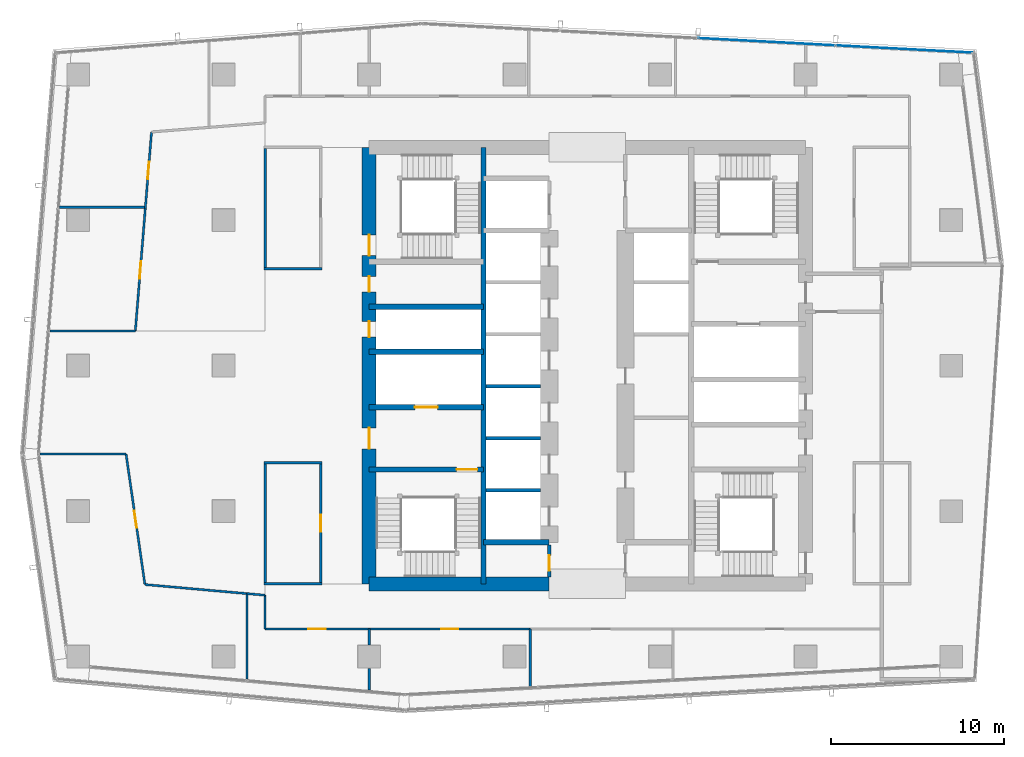
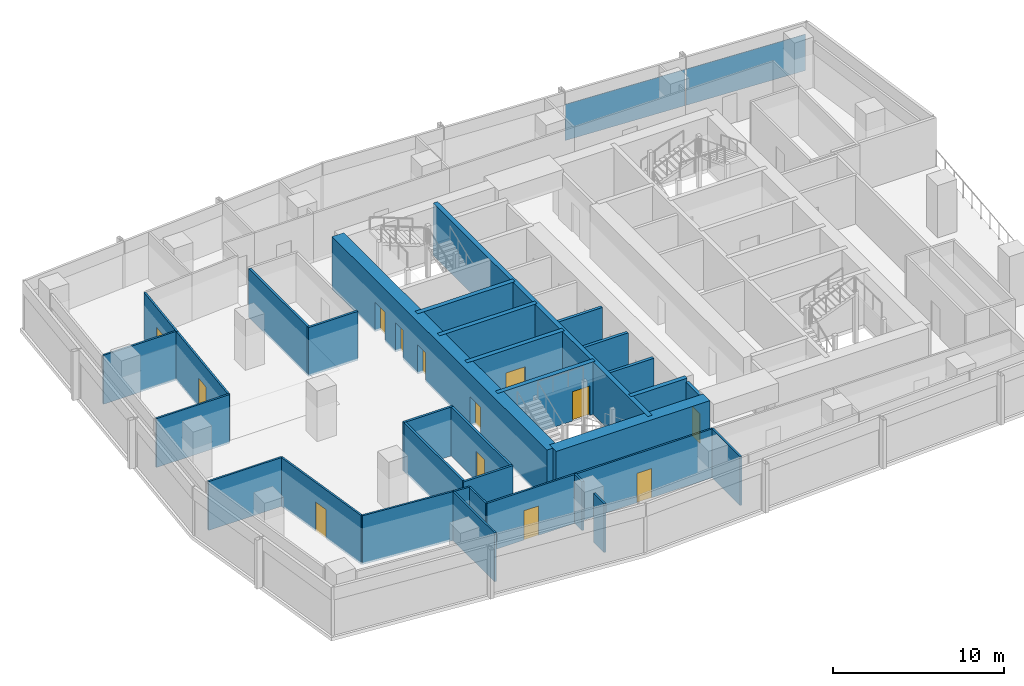
# One storey, part 20 of 28: 33 walls, 13 doors, 2 plates, 13 openings, 1 element without a shape of its own.
"""IFC4 building model written with IfcOpenShell, lengths in metres."""

from ifc_helpers import new_model, si_unit, direction, frame, frame_2d, origin, origin_2d, place, context, subcontext, project, spatial, rectangle, extrude, material, layer, layer_set, type_object, element, fill, aggregate, save


model = new_model("IFC4")

# Units and contexts
model_context = context("Model", 3, precision=1e-05, world=origin(), true_north=direction((0.0, 1.0)))
body_context = subcontext(model_context, "Body", "Model", "MODEL_VIEW")
ifc_project = project(units=[si_unit("LENGTHUNIT", "METRE"), si_unit("AREAUNIT", "SQUARE_METRE"), si_unit("VOLUMEUNIT", "CUBIC_METRE"), si_unit("PLANEANGLEUNIT", "RADIAN"), si_unit("MASSUNIT", "GRAM", prefix="KILO")], contexts=[model_context])

# Site, building, storey
site_placement = place(None, origin())
site = spatial("IfcSite", under=ifc_project, at=site_placement, CompositionType="ELEMENT")
building_placement = place(site_placement, origin())
building = spatial("IfcBuilding", under=site, at=building_placement, Name="Rekha Terrace Tower", CompositionType="ELEMENT")
storey_placement = place(building_placement, frame((0.0, 0.0, 253.85009765625)))
storey = spatial("IfcBuildingStorey", under=building, at=storey_placement, Name="L64", CompositionType="ELEMENT", Elevation=253.85009765625)

# Curtain wall, plates
ifc_material_1 = material(Name="Aluminium framing", Category="aluminium")
curtain_wall_type = type_object("IfcCurtainWallType", Name="CW3 north unitised glazing", PredefinedType="USERDEFINED", material=ifc_material_1)
curtain_wall_placement = place(storey_placement, origin())
curtain_wall = element("IfcCurtainWall", 1, at=curtain_wall_placement, inside=storey, type_object=curtain_wall_type, Name="CW3 unitised curtain wall", ObjectType="UNITISED CURTAIN WALL", PredefinedType="USERDEFINED")
ifc_material_2 = material(Name="Double-glazed unit 28", Category="glass")
ifc_layer_1 = layer(ifc_material_2, 0.028076171875)
ifc_layer_set_1 = layer_set([ifc_layer_1], Name="Double-glazed unit 28")
plate_type = type_object("IfcPlateType", Name="CW3 jumbo vision panel, double-glazed unit 28", PredefinedType="CURTAIN_PANEL", material=ifc_layer_set_1)
plate_1_placement = place(storey_placement, frame((56.080322265625, 51.871337890625, -0.000244140625), z_axis=(0.0, 0.0, 1.0), x_axis=(-0.998590089005, 0.053083275524, 0.0)))
plate_1 = element("IfcPlate", 2, at=plate_1_placement, type_object=plate_type, Name="CW3 panel 1.1", PredefinedType="CURTAIN_PANEL", context=body_context, shape_type="SweptSolid", body=[
    extrude(rectangle(XDim=7.856201171875, YDim=0.028076171875, at=origin_2d()), origin(), (0.0, 0.0, 1.0), 2.60009765625),
])
plate_2_placement = place(storey_placement, frame((48.14794921875, 52.29296875, -0.000244140625), z_axis=(0.0, 0.0, 1.0), x_axis=(-0.998590089005, 0.053083275524, 0.0)))
plate_2 = element("IfcPlate", 3, at=plate_2_placement, type_object=plate_type, Name="CW3 panel 2.1", PredefinedType="CURTAIN_PANEL", context=body_context, shape_type="SweptSolid", body=[
    extrude(rectangle(XDim=7.891357421875, YDim=0.028076171875, at=origin_2d()), origin(), (0.0, 0.0, 1.0), 2.60009765625),
])
aggregate(curtain_wall, [plate_1, plate_2])

# Walls
ifc_material_3 = material(Name="Concrete M60", Category="concrete")
ifc_layer_2 = layer(ifc_material_3, 0.300048828125)
ifc_layer_set_2 = layer_set([ifc_layer_2], Name="Concrete M60")
wall_type_1 = type_object("IfcWallType", Name="CI5 300 core internal shear wall", PredefinedType="SHEAR", material=ifc_layer_set_2)
wall_1_placement = place(storey_placement, frame((31.800048828125, 21.0, 0.0), z_axis=(0.0, 0.0, 1.0), x_axis=(0.0, 1.0, 0.0)))
element("IfcWall", 4, at=wall_1_placement, inside=storey, type_object=wall_type_1, Name="Core wall X318 L64", PredefinedType="SHEAR", context=body_context, shape_type="SweptSolid", body=[
    extrude(rectangle(XDim=25.199951171875, YDim=0.300048828125, at=frame_2d((12.60009765625, 0.0))), origin(), (0.0, 0.0, 1.0), 3.75),
])
wall_2_placement = place(storey_placement, frame((31.800048828125, 23.39990234375, 0.0), z_axis=(0.0, 0.0, 1.0), x_axis=(1.0, 0.0, 0.0)))
element("IfcWall", 5, at=wall_2_placement, inside=storey, type_object=wall_type_1, Name="Core wall Y234W L64", PredefinedType="SHEAR", context=body_context, shape_type="SweptSolid", body=[
    extrude(rectangle(XDim=3.800048828125, YDim=0.300048828125, at=frame_2d((1.89990234375, 0.0))), origin(), (0.0, 0.0, 1.0), 3.75),
])

# Wall, opening, door
wall_3_placement = place(storey_placement, frame((25.199951171875, 27.60009765625, 0.0), z_axis=(0.0, 0.0, 1.0), x_axis=(1.0, 0.0, 0.0)))
wall_3 = element("IfcWall", 6, at=wall_3_placement, inside=storey, type_object=wall_type_1, Name="Core wall Y276W L64", PredefinedType="SHEAR", context=body_context, shape_type="SweptSolid", body=[
    extrude(rectangle(XDim=6.60009765625, YDim=0.300048828125, at=frame_2d((3.300048828125, 0.0))), origin(), (0.0, 0.0, 1.0), 3.75),
])
opening_1_placement = place(wall_3_placement, frame((5.050048828125, 0.0, 0.0)))
opening_1 = element("IfcOpeningElement", 7, at=opening_1_placement, cuts=wall_3, Name="Opening D1", PredefinedType="OPENING", context=body_context, shape_type="SweptSolid", body=[
    extrude(rectangle(XDim=1.199951171875, YDim=2.10009765625, at=frame_2d((0.60009765625, 1.050048828125))), frame((0.0, 0.159912109375, 0.0), z_axis=(0.0, -1.0, 0.0), x_axis=(1.0, 0.0, 0.0)), (0.0, 0.0, 1.0), 0.320068359375),
])
ifc_material_4 = material(Name="Steel fire door", Category="steel")
door_type_1 = type_object("IfcDoorType", Name="D1 1200x2100 stair fire door", OperationType="SINGLE_SWING_RIGHT", PredefinedType="DOOR", material=ifc_material_4)
door_1_placement = place(opening_1_placement, origin())
door_1 = element("IfcDoor", 8, at=door_1_placement, inside=storey, type_object=door_type_1, Name="Stair ST1 door L64", OperationType="SINGLE_SWING_RIGHT", OverallHeight=2.10009765625, OverallWidth=1.199951171875, PredefinedType="DOOR", context=body_context, shape_type="SweptSolid", body=[
    extrude(rectangle(XDim=1.199951171875, YDim=2.10009765625, at=frame_2d((0.60009765625, 1.050048828125))), frame((0.0, 0.02490234375, 0.0), z_axis=(0.0, -1.0, 0.0), x_axis=(1.0, 0.0, 0.0)), (0.0, 0.0, 1.0), 0.050048828125),
])
fill(opening_1, door_1)

wall_4_placement = place(storey_placement, frame((25.199951171875, 31.199951171875, 0.0), z_axis=(0.0, 0.0, 1.0), x_axis=(1.0, 0.0, 0.0)))
wall_4 = element("IfcWall", 9, at=wall_4_placement, inside=storey, type_object=wall_type_1, Name="Core wall Y312W L64", PredefinedType="SHEAR", context=body_context, shape_type="SweptSolid", body=[
    extrude(rectangle(XDim=6.60009765625, YDim=0.300048828125, at=frame_2d((3.300048828125, 0.0))), origin(), (0.0, 0.0, 1.0), 3.75),
])
opening_2_placement = place(wall_4_placement, frame((2.64990234375, 0.0, 0.0)))
opening_2 = element("IfcOpeningElement", 10, at=opening_2_placement, cuts=wall_4, Name="Opening LD2", PredefinedType="OPENING", context=body_context, shape_type="SweptSolid", body=[
    extrude(rectangle(XDim=1.300048828125, YDim=2.10009765625, at=frame_2d((0.64990234375, 1.050048828125))), frame((0.0, 0.159912109375, 0.0), z_axis=(0.0, -1.0, 0.0), x_axis=(1.0, 0.0, 0.0)), (0.0, 0.0, 1.0), 0.320068359375),
])
ifc_material_5 = material(Name="Stainless steel sliding landing door", Category="steel")
door_type_2 = type_object("IfcDoorType", Name="LD2 1300x2100 fire lift landing door", OperationType="SLIDING_TO_LEFT", PredefinedType="USERDEFINED", material=ifc_material_5)
door_2_placement = place(opening_2_placement, origin())
door_2 = element("IfcDoor", 11, at=door_2_placement, inside=storey, type_object=door_type_2, Name="Lift FL1 landing door L64", ObjectType="LIFT LANDING DOOR", OperationType="SLIDING_TO_LEFT", OverallHeight=2.10009765625, OverallWidth=1.300048828125, PredefinedType="USERDEFINED", context=body_context, shape_type="SweptSolid", body=[
    extrude(rectangle(XDim=1.300048828125, YDim=2.10009765625, at=frame_2d((0.64990234375, 1.050048828125))), frame((0.0, 0.02490234375, 0.0), z_axis=(0.0, -1.0, 0.0), x_axis=(1.0, 0.0, 0.0)), (0.0, 0.0, 1.0), 0.050048828125),
])
fill(opening_2, door_2)

# Walls
for number, where, z_axis, x_axis, name in (
    (12, (25.199951171875, 34.39990234375, 0.0), (0.0, 0.0, 1.0), (1.0, 0.0, 0.0), "Core wall Y344W L64"),
    (13, (25.199951171875, 37.0, 0.0), (0.0, 0.0, 1.0), (1.0, 0.0, 0.0), "Core wall Y370W L64"),
):
    element("IfcWall", number, at=place(storey_placement, frame(where, z_axis=z_axis, x_axis=x_axis)), inside=storey, type_object=wall_type_1, Name=name, PredefinedType="SHEAR", context=body_context, shape_type="SweptSolid", body=[
        extrude(rectangle(XDim=6.60009765625, YDim=0.300048828125, at=frame_2d((3.300048828125, 0.0))), origin(), (0.0, 0.0, 1.0), 3.75),
    ])
ifc_layer_3 = layer(ifc_material_3, 0.800048828125)
ifc_layer_set_3 = layer_set([ifc_layer_3], Name="Concrete M60")
wall_type_2 = type_object("IfcWallType", Name="SW5 800 core outer shear wall", PredefinedType="SHEAR", material=ifc_layer_set_3)
wall_5_placement = place(storey_placement, frame((25.199951171875, 21.0, 0.0), z_axis=(0.0, 0.0, 1.0), x_axis=(1.0, 0.0, 0.0)))
element("IfcWall", 14, at=wall_5_placement, inside=storey, type_object=wall_type_2, Name="Core wall S1 L64", PredefinedType="SHEAR", context=body_context, shape_type="SweptSolid", body=[
    extrude(rectangle(XDim=10.400146484375, YDim=0.800048828125, at=frame_2d((5.2001953125, 0.0))), origin(), (0.0, 0.0, 1.0), 3.75),
])

# Wall, openings, doors
wall_6_placement = place(storey_placement, frame((25.199951171875, 21.0, 0.0), z_axis=(0.0, 0.0, 1.0), x_axis=(0.0, 1.0, 0.0)))
wall_6 = element("IfcWall", 15, at=wall_6_placement, inside=storey, type_object=wall_type_2, Name="Core wall W L64", PredefinedType="SHEAR", context=body_context, shape_type="SweptSolid", body=[
    extrude(rectangle(XDim=25.199951171875, YDim=0.800048828125, at=frame_2d((12.60009765625, 0.0))), origin(), (0.0, 0.0, 1.0), 3.75),
])
opening_3_placement = place(wall_6_placement, frame((7.800048828125, 0.0, 0.0)))
opening_3 = element("IfcOpeningElement", 16, at=opening_3_placement, cuts=wall_6, Name="Opening D2", PredefinedType="OPENING", context=body_context, shape_type="SweptSolid", body=[
    extrude(rectangle(XDim=1.199951171875, YDim=2.10009765625, at=frame_2d((0.60009765625, 1.050048828125))), frame((0.0, 0.409912109375, 0.0), z_axis=(0.0, -1.0, 0.0), x_axis=(1.0, 0.0, 0.0)), (0.0, 0.0, 1.0), 0.820068359375),
])
opening_4_placement = place(wall_6_placement, frame((14.25, 0.0, 0.0)))
opening_4 = element("IfcOpeningElement", 17, at=opening_4_placement, cuts=wall_6, Name="Opening D5", PredefinedType="OPENING", context=body_context, shape_type="SweptSolid", body=[
    extrude(rectangle(XDim=0.89990234375, YDim=2.10009765625, at=frame_2d((0.449951171875, 1.050048828125))), frame((0.0, 0.409912109375, 0.0), z_axis=(0.0, -1.0, 0.0), x_axis=(1.0, 0.0, 0.0)), (0.0, 0.0, 1.0), 0.820068359375),
])
opening_5_placement = place(wall_6_placement, frame((16.85009765625, 0.0, 0.0)))
opening_5 = element("IfcOpeningElement", 18, at=opening_5_placement, cuts=wall_6, Name="Opening D5", PredefinedType="OPENING", context=body_context, shape_type="SweptSolid", body=[
    extrude(rectangle(XDim=0.89990234375, YDim=2.10009765625, at=frame_2d((0.449951171875, 1.050048828125))), frame((0.0, 0.409912109375, 0.0), z_axis=(0.0, -1.0, 0.0), x_axis=(1.0, 0.0, 0.0)), (0.0, 0.0, 1.0), 0.820068359375),
])
opening_6_placement = place(wall_6_placement, frame((18.949951171875, 0.0, 0.0)))
opening_6 = element("IfcOpeningElement", 19, at=opening_6_placement, cuts=wall_6, Name="Opening D1", PredefinedType="OPENING", context=body_context, shape_type="SweptSolid", body=[
    extrude(rectangle(XDim=1.199951171875, YDim=2.10009765625, at=frame_2d((0.60009765625, 1.050048828125))), frame((0.0, 0.409912109375, 0.0), z_axis=(0.0, -1.0, 0.0), x_axis=(1.0, 0.0, 0.0)), (0.0, 0.0, 1.0), 0.820068359375),
])
door_3_placement = place(opening_6_placement, origin())
door_3 = element("IfcDoor", 20, at=door_3_placement, inside=storey, type_object=door_type_1, Name="Stair ST4 door L64", OperationType="SINGLE_SWING_RIGHT", OverallHeight=2.10009765625, OverallWidth=1.199951171875, PredefinedType="DOOR", context=body_context, shape_type="SweptSolid", body=[
    extrude(rectangle(XDim=1.199951171875, YDim=2.10009765625, at=frame_2d((0.60009765625, 1.050048828125))), frame((0.0, 0.02490234375, 0.0), z_axis=(0.0, -1.0, 0.0), x_axis=(1.0, 0.0, 0.0)), (0.0, 0.0, 1.0), 0.050048828125),
])
fill(opening_6, door_3)
door_type_3 = type_object("IfcDoorType", Name="D2 1200x2100 firefighting lobby door", OperationType="SINGLE_SWING_LEFT", PredefinedType="DOOR", material=ifc_material_4)
door_4_placement = place(opening_3_placement, origin())
door_4 = element("IfcDoor", 21, at=door_4_placement, inside=storey, type_object=door_type_3, Name="Door flb1 L64", OperationType="SINGLE_SWING_LEFT", OverallHeight=2.10009765625, OverallWidth=1.199951171875, PredefinedType="DOOR", context=body_context, shape_type="SweptSolid", body=[
    extrude(rectangle(XDim=1.199951171875, YDim=2.10009765625, at=frame_2d((0.60009765625, 1.050048828125))), frame((0.0, 0.02490234375, 0.0), z_axis=(0.0, -1.0, 0.0), x_axis=(1.0, 0.0, 0.0)), (0.0, 0.0, 1.0), 0.050048828125),
])
fill(opening_3, door_4)
door_type_4 = type_object("IfcDoorType", Name="D5 900x2100 riser access door", OperationType="SINGLE_SWING_LEFT", PredefinedType="DOOR", material=ifc_material_4)
door_5_placement = place(opening_4_placement, origin())
door_5 = element("IfcDoor", 22, at=door_5_placement, inside=storey, type_object=door_type_4, Name="Door rs1 L64", OperationType="SINGLE_SWING_LEFT", OverallHeight=2.10009765625, OverallWidth=0.89990234375, PredefinedType="DOOR", context=body_context, shape_type="SweptSolid", body=[
    extrude(rectangle(XDim=0.89990234375, YDim=2.10009765625, at=frame_2d((0.449951171875, 1.050048828125))), frame((0.0, 0.02490234375, 0.0), z_axis=(0.0, -1.0, 0.0), x_axis=(1.0, 0.0, 0.0)), (0.0, 0.0, 1.0), 0.050048828125),
])
fill(opening_4, door_5)
door_6_placement = place(opening_5_placement, origin())
door_6 = element("IfcDoor", 23, at=door_6_placement, inside=storey, type_object=door_type_4, Name="Door elw L64", OperationType="SINGLE_SWING_LEFT", OverallHeight=2.10009765625, OverallWidth=0.89990234375, PredefinedType="DOOR", context=body_context, shape_type="SweptSolid", body=[
    extrude(rectangle(XDim=0.89990234375, YDim=2.10009765625, at=frame_2d((0.449951171875, 1.050048828125))), frame((0.0, 0.02490234375, 0.0), z_axis=(0.0, -1.0, 0.0), x_axis=(1.0, 0.0, 0.0)), (0.0, 0.0, 1.0), 0.050048828125),
])
fill(opening_5, door_6)

# Walls
ifc_material_6 = material(Name="Concrete block masonry, 1 hour", Category="masonry")
ifc_layer_4 = layer(ifc_material_6, 0.14990234375)
ifc_layer_set_4 = layer_set([ifc_layer_4], Name="Concrete block masonry, 1 hour")
wall_type_3 = type_object("IfcWallType", Name="WP2 150 tenancy partition", PredefinedType="PARTITIONING", material=ifc_layer_set_4)
wall_7_placement = place(storey_placement, frame((19.125, 39.199951171875, 0.0), z_axis=(0.0, 0.0, 1.0), x_axis=(1.0, 0.0, 0.0)))
element("IfcWall", 24, at=wall_7_placement, inside=storey, type_object=wall_type_3, Name="Women's WC wall L64", PredefinedType="PARTITIONING", context=body_context, shape_type="SweptSolid", body=[
    extrude(rectangle(XDim=3.35009765625, YDim=0.14990234375, at=frame_2d((1.675048828125, 0.0))), origin(), (0.0, 0.0, 1.0), 3.5),
])
wall_8_placement = place(storey_placement, frame((19.199951171875, 39.27490234375, 0.0), z_axis=(0.0, 0.0, 1.0), x_axis=(0.0, 1.0, 0.0)))
element("IfcWall", 25, at=wall_8_placement, inside=storey, type_object=wall_type_3, Name="Women's WC wall L64", PredefinedType="PARTITIONING", context=body_context, shape_type="SweptSolid", body=[
    extrude(rectangle(XDim=6.85009765625, YDim=0.14990234375, at=frame_2d((3.425048828125, 0.0))), origin(), (0.0, 0.0, 1.0), 3.5),
])
for number, where, z_axis, x_axis, name in (
    (26, (19.125, 21.0, 0.0), (0.0, 0.0, 1.0), (1.0, 0.0, 0.0), "Men's WC wall L64"),
    (27, (19.125, 28.0, 0.0), (0.0, 0.0, 1.0), (1.0, 0.0, 0.0), "Men's WC wall L64"),
):
    element("IfcWall", number, at=place(storey_placement, frame(where, z_axis=z_axis, x_axis=x_axis)), inside=storey, type_object=wall_type_3, Name=name, PredefinedType="PARTITIONING", context=body_context, shape_type="SweptSolid", body=[
        extrude(rectangle(XDim=3.35009765625, YDim=0.14990234375, at=frame_2d((1.675048828125, 0.0))), origin(), (0.0, 0.0, 1.0), 3.5),
    ])
wall_9_placement = place(storey_placement, frame((19.199951171875, 21.074951171875, 0.0), z_axis=(0.0, 0.0, 1.0), x_axis=(0.0, 1.0, 0.0)))
element("IfcWall", 28, at=wall_9_placement, inside=storey, type_object=wall_type_3, Name="Men's WC wall L64", PredefinedType="PARTITIONING", context=body_context, shape_type="SweptSolid", body=[
    extrude(rectangle(XDim=6.85009765625, YDim=0.14990234375, at=frame_2d((3.425048828125, 0.0))), origin(), (0.0, 0.0, 1.0), 3.5),
])

# Wall, opening, door
wall_10_placement = place(storey_placement, frame((22.39990234375, 21.074951171875, 0.0), z_axis=(0.0, 0.0, 1.0), x_axis=(0.0, 1.0, 0.0)))
wall_10 = element("IfcWall", 29, at=wall_10_placement, inside=storey, type_object=wall_type_3, Name="Men's WC wall L64", PredefinedType="PARTITIONING", context=body_context, shape_type="SweptSolid", body=[
    extrude(rectangle(XDim=6.85009765625, YDim=0.14990234375, at=frame_2d((3.425048828125, 0.0))), origin(), (0.0, 0.0, 1.0), 3.5),
])
opening_7_placement = place(wall_10_placement, frame((2.925048828125, 0.0, 0.0)))
opening_7 = element("IfcOpeningElement", 30, at=opening_7_placement, cuts=wall_10, Name="Opening D3", PredefinedType="OPENING", context=body_context, shape_type="SweptSolid", body=[
    extrude(rectangle(XDim=1.0, YDim=2.10009765625, at=frame_2d((0.5, 1.050048828125))), frame((0.0, 0.0849609375, 0.0), z_axis=(0.0, -1.0, 0.0), x_axis=(1.0, 0.0, 0.0)), (0.0, 0.0, 1.0), 0.169921875),
])
ifc_material_7 = material(Name="Laminated timber fire door", Category="wood")
door_type_5 = type_object("IfcDoorType", Name="D3 1000x2100 WC door", OperationType="SINGLE_SWING_LEFT", PredefinedType="DOOR", material=ifc_material_7)
door_7_placement = place(opening_7_placement, origin())
door_7 = element("IfcDoor", 31, at=door_7_placement, inside=storey, type_object=door_type_5, Name="Door men's wc L64", OperationType="SINGLE_SWING_LEFT", OverallHeight=2.10009765625, OverallWidth=1.0, PredefinedType="DOOR", context=body_context, shape_type="SweptSolid", body=[
    extrude(rectangle(XDim=1.0, YDim=2.10009765625, at=frame_2d((0.5, 1.050048828125))), frame((0.0, 0.02490234375, 0.0), z_axis=(0.0, -1.0, 0.0), x_axis=(1.0, 0.0, 0.0)), (0.0, 0.0, 1.0), 0.050048828125),
])
fill(opening_7, door_7)

# Wall
ifc_material_8 = material(Name="Two layers of fire-rated gypsum board each side on steel studs, acoustic quilt, 1 hour", Category="steel")
ifc_layer_5 = layer(ifc_material_8, 0.125)
ifc_layer_set_5 = layer_set([ifc_layer_5], Name="Two layers of fire-rated gypsum board each side on steel studs, acoustic quilt, 1 hour")
wall_type_4 = type_object("IfcWallType", Name="WP3 125 office partition", PredefinedType="PARTITIONING", material=ifc_layer_set_5)
wall_11_placement = place(storey_placement, frame((12.22607421875, 42.741943359375, 0.0), z_axis=(0.0, 0.0, 1.0), x_axis=(-1.0, 0.0, 0.0)))
element("IfcWall", 32, at=wall_11_placement, inside=storey, type_object=wall_type_4, Name="Partition L64-09", PredefinedType="PARTITIONING", context=body_context, shape_type="SweptSolid", body=[
    extrude(rectangle(XDim=4.903076171875, YDim=0.125, at=frame_2d((2.45166015625, 0.0))), origin(), (0.0, 0.0, 1.0), 3.5),
])

# Wall, opening, door
wall_12_placement = place(storey_placement, frame((12.64306640625, 47.0869140625, 0.0), z_axis=(0.0, 0.0, 1.0), x_axis=(-0.081240627764, -0.996694517092, 0.0)))
wall_12 = element("IfcWall", 33, at=wall_12_placement, inside=storey, type_object=wall_type_4, Name="Partition L64-09", PredefinedType="PARTITIONING", context=body_context, shape_type="SweptSolid", body=[
    extrude(rectangle(XDim=4.444580078125, YDim=0.125, at=frame_2d((2.22216796875, 0.0))), origin(), (0.0, 0.0, 1.0), 3.5),
])
opening_8_placement = place(wall_12_placement, frame((1.721923828125, 0.0, 0.0)))
opening_8 = element("IfcOpeningElement", 34, at=opening_8_placement, cuts=wall_12, Name="Opening D9", PredefinedType="OPENING", context=body_context, shape_type="SweptSolid", body=[
    extrude(rectangle(XDim=1.0, YDim=2.10009765625, at=frame_2d((0.5, 1.050048828125))), frame((0.0, 0.072509765625, 0.0), z_axis=(0.0, -1.0, 0.0), x_axis=(1.0, 0.0, 0.0)), (0.0, 0.0, 1.0), 0.14501953125),
])
ifc_material_9 = material(Name="Timber fire door", Category="wood")
door_type_6 = type_object("IfcDoorType", Name="D9 1000x2100 office door", OperationType="SINGLE_SWING_LEFT", PredefinedType="DOOR", material=ifc_material_9)
door_8_placement = place(opening_8_placement, origin())
door_8 = element("IfcDoor", 35, at=door_8_placement, inside=storey, type_object=door_type_6, Name="Door director's office L64", OperationType="SINGLE_SWING_LEFT", OverallHeight=2.10009765625, OverallWidth=1.0, PredefinedType="DOOR", context=body_context, shape_type="SweptSolid", body=[
    extrude(rectangle(XDim=1.0, YDim=2.10009765625, at=frame_2d((0.5, 1.050048828125))), frame((0.0, 0.02490234375, 0.0), z_axis=(0.0, -1.0, 0.0), x_axis=(1.0, 0.0, 0.0)), (0.0, 0.0, 1.0), 0.050048828125),
])
fill(opening_8, door_8)

wall_13_placement = place(storey_placement, frame((12.281982421875, 42.656005859375, 0.0), z_axis=(0.0, 0.0, 1.0), x_axis=(-0.08110159124, -0.996705840205, 0.0)))
wall_13 = element("IfcWall", 36, at=wall_13_placement, inside=storey, type_object=wall_type_4, Name="Partition L64-10", PredefinedType="PARTITIONING", context=body_context, shape_type="SweptSolid", body=[
    extrude(rectangle(XDim=7.08935546875, YDim=0.125, at=frame_2d((3.544677734375, 0.0))), origin(), (0.0, 0.0, 1.0), 3.5),
])
opening_9_placement = place(wall_13_placement, frame((3.044921875, 0.0, 0.0)))
opening_9 = element("IfcOpeningElement", 37, at=opening_9_placement, cuts=wall_13, Name="Opening D9", PredefinedType="OPENING", context=body_context, shape_type="SweptSolid", body=[
    extrude(rectangle(XDim=1.0, YDim=2.10009765625, at=frame_2d((0.5, 1.050048828125))), frame((0.0, 0.072509765625, 0.0), z_axis=(0.0, -1.0, 0.0), x_axis=(1.0, 0.0, 0.0)), (0.0, 0.0, 1.0), 0.14501953125),
])
door_9_placement = place(opening_9_placement, origin())
door_9 = element("IfcDoor", 38, at=door_9_placement, inside=storey, type_object=door_type_6, Name="Door meeting room L64", OperationType="SINGLE_SWING_LEFT", OverallHeight=2.10009765625, OverallWidth=1.0, PredefinedType="DOOR", context=body_context, shape_type="SweptSolid", body=[
    extrude(rectangle(XDim=1.0, YDim=2.10009765625, at=frame_2d((0.5, 1.050048828125))), frame((0.0, 0.02490234375, 0.0), z_axis=(0.0, -1.0, 0.0), x_axis=(1.0, 0.0, 0.0)), (0.0, 0.0, 1.0), 0.050048828125),
])
fill(opening_9, door_9)

# Walls
wall_14_placement = place(storey_placement, frame((11.70703125, 35.590087890625, 0.0), z_axis=(0.0, 0.0, 1.0), x_axis=(-1.0, 0.0, 0.0)))
element("IfcWall", 39, at=wall_14_placement, inside=storey, type_object=wall_type_4, Name="Partition L64-10", PredefinedType="PARTITIONING", context=body_context, shape_type="SweptSolid", body=[
    extrude(rectangle(XDim=4.93603515625, YDim=0.125, at=frame_2d((2.468017578125, 0.0))), origin(), (0.0, 0.0, 1.0), 3.5),
])
wall_15_placement = place(storey_placement, frame((34.5048828125, 15.05908203125, 0.0), z_axis=(0.0, 0.0, 1.0), x_axis=(0.0, 1.0, 0.0)))
element("IfcWall", 40, at=wall_15_placement, inside=storey, type_object=wall_type_4, Name="Partition L64-11", PredefinedType="PARTITIONING", context=body_context, shape_type="SweptSolid", body=[
    extrude(rectangle(XDim=3.3408203125, YDim=0.125, at=frame_2d((1.67041015625, 0.0))), origin(), (0.0, 0.0, 1.0), 3.5),
])
wall_16_placement = place(storey_placement, frame((6.200927734375, 28.490966796875, 0.0), z_axis=(0.0, 0.0, 1.0), x_axis=(1.0, 0.0, 0.0)))
element("IfcWall", 41, at=wall_16_placement, inside=storey, type_object=wall_type_4, Name="Partition L64-12", PredefinedType="PARTITIONING", context=body_context, shape_type="SweptSolid", body=[
    extrude(rectangle(XDim=4.97216796875, YDim=0.125, at=frame_2d((2.486083984375, 0.0))), origin(), (0.0, 0.0, 1.0), 3.5),
])

# Wall, opening, door
wall_17_placement = place(storey_placement, frame((11.173095703125, 28.490966796875, 0.0), z_axis=(0.0, 0.0, 1.0), x_axis=(0.143007219795, -0.989721645255, 0.0)))
wall_17 = element("IfcWall", 42, at=wall_17_placement, inside=storey, type_object=wall_type_4, Name="Partition L64-12", PredefinedType="PARTITIONING", context=body_context, shape_type="SweptSolid", body=[
    extrude(rectangle(XDim=7.607177734375, YDim=0.125, at=frame_2d((3.8037109375, 0.0))), origin(), (0.0, 0.0, 1.0), 3.5),
])
opening_10_placement = place(wall_17_placement, frame((3.303955078125, 0.0, 0.0)))
opening_10 = element("IfcOpeningElement", 43, at=opening_10_placement, cuts=wall_17, Name="Opening D9", PredefinedType="OPENING", context=body_context, shape_type="SweptSolid", body=[
    extrude(rectangle(XDim=1.0, YDim=2.10009765625, at=frame_2d((0.5, 1.050048828125))), frame((0.0, 0.072509765625, 0.0), z_axis=(0.0, -1.0, 0.0), x_axis=(1.0, 0.0, 0.0)), (0.0, 0.0, 1.0), 0.14501953125),
])
door_10_placement = place(opening_10_placement, origin())
door_10 = element("IfcDoor", 44, at=door_10_placement, inside=storey, type_object=door_type_6, Name="Door director's office L64", OperationType="SINGLE_SWING_LEFT", OverallHeight=2.10009765625, OverallWidth=1.0, PredefinedType="DOOR", context=body_context, shape_type="SweptSolid", body=[
    extrude(rectangle(XDim=1.0, YDim=2.10009765625, at=frame_2d((0.5, 1.050048828125))), frame((0.0, 0.02490234375, 0.0), z_axis=(0.0, -1.0, 0.0), x_axis=(1.0, 0.0, 0.0)), (0.0, 0.0, 1.0), 0.050048828125),
])
fill(opening_10, door_10)

# Walls
wall_18_placement = place(storey_placement, frame((12.260986328125, 20.9619140625, 0.0), z_axis=(0.0, 0.0, 1.0), x_axis=(0.996078951833, -0.08846876124, 0.0)))
element("IfcWall", 45, at=wall_18_placement, inside=storey, type_object=wall_type_4, Name="Partition L64-12", PredefinedType="PARTITIONING", context=body_context, shape_type="SweptSolid", body=[
    extrude(rectangle(XDim=5.9111328125, YDim=0.125, at=frame_2d((2.95556640625, 0.0))), origin(), (0.0, 0.0, 1.0), 3.5),
])
wall_19_placement = place(storey_placement, frame((18.14892578125, 20.43896484375, 0.0), z_axis=(0.0, 0.0, 1.0), x_axis=(0.0, -1.0, 0.0)))
element("IfcWall", 46, at=wall_19_placement, inside=storey, type_object=wall_type_4, Name="Partition L64-12", PredefinedType="PARTITIONING", context=body_context, shape_type="SweptSolid", body=[
    extrude(rectangle(XDim=4.93896484375, YDim=0.125, at=frame_2d((2.469482421875, 0.0))), origin(), (0.0, 0.0, 1.0), 3.5),
])
wall_20_placement = place(storey_placement, frame((18.14990234375, 20.43896484375, 0.0), z_axis=(0.0, 0.0, 1.0), x_axis=(0.996099374617, -0.088238517026, 0.0)))
element("IfcWall", 47, at=wall_20_placement, inside=storey, type_object=wall_type_4, Name="Partition L64-13", PredefinedType="PARTITIONING", context=body_context, shape_type="SweptSolid", body=[
    extrude(rectangle(XDim=1.05419921875, YDim=0.125, at=frame_2d((0.527099609375, 0.0))), origin(), (0.0, 0.0, 1.0), 3.5),
])
wall_21_placement = place(storey_placement, frame((19.199951171875, 20.345947265625, 0.0), z_axis=(0.0, 0.0, 1.0), x_axis=(0.0, -1.0, 0.0)))
element("IfcWall", 48, at=wall_21_placement, inside=storey, type_object=wall_type_4, Name="Partition L64-13", PredefinedType="PARTITIONING", context=body_context, shape_type="SweptSolid", body=[
    extrude(rectangle(XDim=1.946044921875, YDim=0.125, at=frame_2d((0.97314453125, 0.0))), origin(), (0.0, 0.0, 1.0), 3.5),
])

# Wall, opening, door
wall_22_placement = place(storey_placement, frame((19.199951171875, 18.39990234375, 0.0), z_axis=(0.0, 0.0, 1.0), x_axis=(1.0, 0.0, 0.0)))
wall_22 = element("IfcWall", 49, at=wall_22_placement, inside=storey, type_object=wall_type_4, Name="Partition L64-13", PredefinedType="PARTITIONING", context=body_context, shape_type="SweptSolid", body=[
    extrude(rectangle(XDim=6.006103515625, YDim=0.125, at=frame_2d((3.0029296875, 0.0))), origin(), (0.0, 0.0, 1.0), 3.5),
])
opening_11_placement = place(wall_22_placement, frame((2.5029296875, 0.0, 0.0)))
opening_11 = element("IfcOpeningElement", 50, at=opening_11_placement, cuts=wall_22, Name="Opening D9", PredefinedType="OPENING", context=body_context, shape_type="SweptSolid", body=[
    extrude(rectangle(XDim=1.0, YDim=2.10009765625, at=frame_2d((0.5, 1.050048828125))), frame((0.0, 0.072509765625, 0.0), z_axis=(0.0, -1.0, 0.0), x_axis=(1.0, 0.0, 0.0)), (0.0, 0.0, 1.0), 0.14501953125),
])
door_11_placement = place(opening_11_placement, origin())
door_11 = element("IfcDoor", 51, at=door_11_placement, inside=storey, type_object=door_type_6, Name="Door meeting room L64", OperationType="SINGLE_SWING_LEFT", OverallHeight=2.10009765625, OverallWidth=1.0, PredefinedType="DOOR", context=body_context, shape_type="SweptSolid", body=[
    extrude(rectangle(XDim=1.0, YDim=2.10009765625, at=frame_2d((0.5, 1.050048828125))), frame((0.0, 0.02490234375, 0.0), z_axis=(0.0, -1.0, 0.0), x_axis=(1.0, 0.0, 0.0)), (0.0, 0.0, 1.0), 0.050048828125),
])
fill(opening_11, door_11)

# Walls
wall_23_placement = place(storey_placement, frame((25.2060546875, 18.39990234375, 0.0), z_axis=(0.0, 0.0, 1.0), x_axis=(0.0, -1.0, 0.0)))
element("IfcWall", 52, at=wall_23_placement, inside=storey, type_object=wall_type_4, Name="Partition L64-13", PredefinedType="PARTITIONING", context=body_context, shape_type="SweptSolid", body=[
    extrude(rectangle(XDim=0.929931640625, YDim=0.125, at=frame_2d((0.46484375, 0.0))), origin(), (0.0, 0.0, 1.0), 3.5),
])
wall_24_placement = place(storey_placement, frame((25.2060546875, 16.1298828125, 0.0), z_axis=(0.0, 0.0, 1.0), x_axis=(0.0, -1.0, 0.0)))
element("IfcWall", 53, at=wall_24_placement, inside=storey, type_object=wall_type_4, Name="Partition L64-13", PredefinedType="PARTITIONING", context=body_context, shape_type="SweptSolid", body=[
    extrude(rectangle(XDim=1.2578125, YDim=0.125, at=frame_2d((0.62890625, 0.0))), origin(), (0.0, 0.0, 1.0), 3.5),
])

# Wall, opening, door
wall_25_placement = place(storey_placement, frame((25.20703125, 18.39990234375, 0.0), z_axis=(0.0, 0.0, 1.0), x_axis=(1.0, 0.0, 0.0)))
wall_25 = element("IfcWall", 54, at=wall_25_placement, inside=storey, type_object=wall_type_4, Name="Partition L64-14", PredefinedType="PARTITIONING", context=body_context, shape_type="SweptSolid", body=[
    extrude(rectangle(XDim=9.296875, YDim=0.125, at=frame_2d((4.6484375, 0.0))), origin(), (0.0, 0.0, 1.0), 3.5),
])
opening_12_placement = place(wall_25_placement, frame((4.14794921875, 0.0, 0.0)))
opening_12 = element("IfcOpeningElement", 55, at=opening_12_placement, cuts=wall_25, Name="Opening D9", PredefinedType="OPENING", context=body_context, shape_type="SweptSolid", body=[
    extrude(rectangle(XDim=1.0, YDim=2.10009765625, at=frame_2d((0.5, 1.050048828125))), frame((0.0, 0.072509765625, 0.0), z_axis=(0.0, -1.0, 0.0), x_axis=(1.0, 0.0, 0.0)), (0.0, 0.0, 1.0), 0.14501953125),
])
door_12_placement = place(opening_12_placement, origin())
door_12 = element("IfcDoor", 56, at=door_12_placement, inside=storey, type_object=door_type_6, Name="Door breakout lounge L64", OperationType="SINGLE_SWING_LEFT", OverallHeight=2.10009765625, OverallWidth=1.0, PredefinedType="DOOR", context=body_context, shape_type="SweptSolid", body=[
    extrude(rectangle(XDim=1.0, YDim=2.10009765625, at=frame_2d((0.5, 1.050048828125))), frame((0.0, 0.02490234375, 0.0), z_axis=(0.0, -1.0, 0.0), x_axis=(1.0, 0.0, 0.0)), (0.0, 0.0, 1.0), 0.050048828125),
])
fill(opening_12, door_12)

# Walls
ifc_material_10 = material(Name="Solid concrete block masonry, 2 hour", Category="masonry")
ifc_layer_6 = layer(ifc_material_10, 0.199951171875)
ifc_layer_set_6 = layer_set([ifc_layer_6], Name="Solid concrete block masonry, 2 hour")
wall_type_5 = type_object("IfcWallType", Name="WS1 200 stair and shaft enclosure", PredefinedType="PARTITIONING", material=ifc_layer_set_6)
for number, where, z_axis, x_axis, name in (
    (57, (31.949951171875, 26.39990234375, 0.0), (0.0, 0.0, 1.0), (1.0, 0.0, 0.0), "Lift shaft divider L64"),
    (58, (31.949951171875, 29.39990234375, 0.0), (0.0, 0.0, 1.0), (1.0, 0.0, 0.0), "Lift shaft divider L64"),
    (59, (31.949951171875, 32.39990234375, 0.0), (0.0, 0.0, 1.0), (1.0, 0.0, 0.0), "Lift shaft divider L64"),
):
    element("IfcWall", number, at=place(storey_placement, frame(where, z_axis=z_axis, x_axis=x_axis)), inside=storey, type_object=wall_type_5, Name=name, PredefinedType="PARTITIONING", context=body_context, shape_type="SweptSolid", body=[
        extrude(rectangle(XDim=3.150146484375, YDim=0.199951171875, at=frame_2d((1.5751953125, 0.0))), origin(), (0.0, 0.0, 1.0), 3.5),
    ])

# Wall, opening, door
wall_26_placement = place(storey_placement, frame((35.60009765625, 21.39990234375, 0.0), z_axis=(0.0, 0.0, 1.0), x_axis=(0.0, 1.0, 0.0)))
wall_26 = element("IfcWall", 60, at=wall_26_placement, inside=storey, type_object=wall_type_5, Name="Core partition west L64", PredefinedType="PARTITIONING", context=body_context, shape_type="SweptSolid", body=[
    extrude(rectangle(XDim=1.85009765625, YDim=0.199951171875, at=frame_2d((0.925048828125, 0.0))), origin(), (0.0, 0.0, 1.0), 3.5),
])
opening_13_placement = place(wall_26_placement, frame((0.35009765625, 0.0, 0.0)))
opening_13 = element("IfcOpeningElement", 61, at=opening_13_placement, cuts=wall_26, Name="Opening D5", PredefinedType="OPENING", context=body_context, shape_type="SweptSolid", body=[
    extrude(rectangle(XDim=0.89990234375, YDim=2.10009765625, at=frame_2d((0.449951171875, 1.050048828125))), frame((0.0, 0.10986328125, 0.0), z_axis=(0.0, -1.0, 0.0), x_axis=(1.0, 0.0, 0.0)), (0.0, 0.0, 1.0), 0.219970703125),
])
door_13_placement = place(opening_13_placement, origin())
door_13 = element("IfcDoor", 62, at=door_13_placement, inside=storey, type_object=door_type_4, Name="Door it comms room L64", OperationType="SINGLE_SWING_LEFT", OverallHeight=2.10009765625, OverallWidth=0.89990234375, PredefinedType="DOOR", context=body_context, shape_type="SweptSolid", body=[
    extrude(rectangle(XDim=0.89990234375, YDim=2.10009765625, at=frame_2d((0.449951171875, 1.050048828125))), frame((0.0, 0.02490234375, 0.0), z_axis=(0.0, -1.0, 0.0), x_axis=(1.0, 0.0, 0.0)), (0.0, 0.0, 1.0), 0.050048828125),
])
fill(opening_13, door_13)

save(model, "model.ifc")
